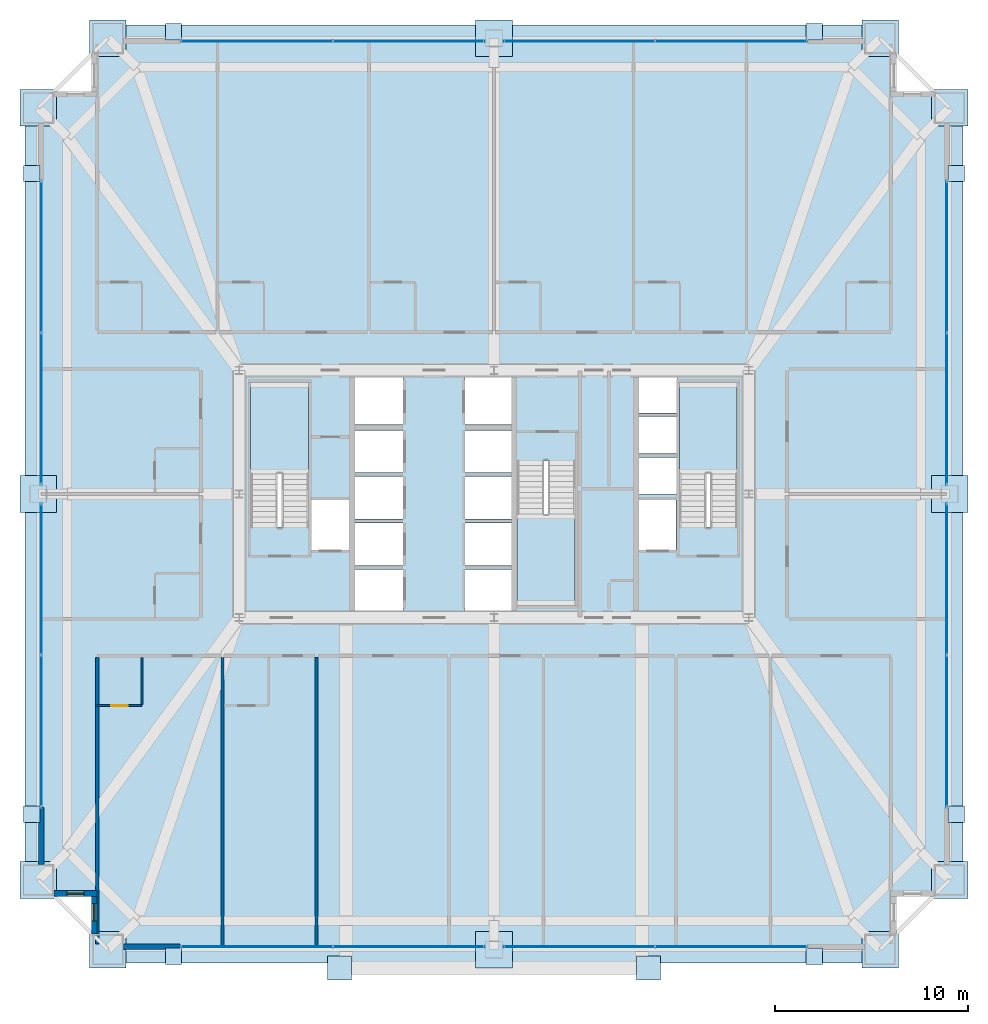
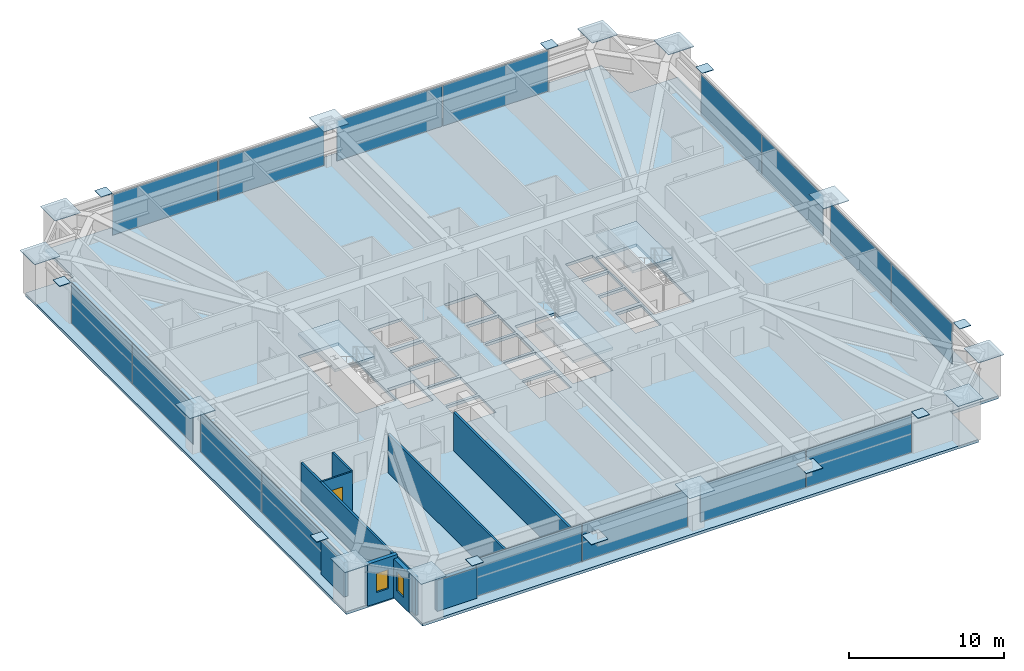
# One storey, part 40 of 45: 38 plates, 9 walls, 4 slabs, 2 windows, 1 door, 3 openings, 11 elements without a shape of their own.
"""IFC4 building model written with IfcOpenShell, lengths in metres."""

from ifc_helpers import new_model, si_unit, direction, frame, frame_2d, origin, origin_2d, place, context, subcontext, project, spatial, polyline, rectangle, outline, extrude, source, transform, mapped, material, layer, layer_set, type_object, element, fill, aggregate, save


model = new_model("IFC4")

# Units and contexts
model_context = context("Model", 3, precision=1e-05, world=origin(), true_north=direction((0.0, 1.0)))
body_context = subcontext(model_context, "Body", "Model", "MODEL_VIEW")
ifc_project = project(units=[si_unit("LENGTHUNIT", "METRE"), si_unit("AREAUNIT", "SQUARE_METRE"), si_unit("VOLUMEUNIT", "CUBIC_METRE"), si_unit("PLANEANGLEUNIT", "RADIAN"), si_unit("MASSUNIT", "GRAM", prefix="KILO"), si_unit("THERMODYNAMICTEMPERATUREUNIT", "KELVIN"), si_unit("POWERUNIT", "WATT")], contexts=[model_context])

# Site, building, storey
site_placement = place(None, origin())
site = spatial("IfcSite", under=ifc_project, at=site_placement, CompositionType="ELEMENT")
building_placement = place(site_placement, origin())
building = spatial("IfcBuilding", under=site, at=building_placement, Name="Yuzanri Waterfront Tower", CompositionType="ELEMENT")
storey_placement = place(building_placement, frame((0.0, 0.0, 163.199951171875)))
storey = spatial("IfcBuildingStorey", under=building, at=storey_placement, Name="L43", CompositionType="ELEMENT", Elevation=163.199951171875)

# Stair, slab
ifc_material_1 = material(Name="Concrete C40", Category="concrete")
stair_type = type_object("IfcStairType", Name="Concrete C40 Core Dogleg Exit Stair", PredefinedType="HALF_TURN_STAIR", material=ifc_material_1)
stair_1_placement = place(storey_placement, origin())
stair_1 = element("IfcStair", 1, at=stair_1_placement, inside=storey, type_object=stair_type, Name="L43 Smoke-Proof Core Stair ST-01", PredefinedType="HALF_TURN_STAIR")
ifc_material_2 = material(Name="Concrete C40", Category="concrete")
ifc_layer_1 = layer(ifc_material_2, 0.179931640625)
ifc_layer_set_1 = layer_set([ifc_layer_1], Name="Concrete C40")
slab_type_1 = type_object("IfcSlabType", Name="Concrete C40 Stair Half-Landing Slab 180", PredefinedType="LANDING", material=ifc_layer_set_1)
slab_1_placement = place(storey_placement, frame((0.0, 0.0, 1.60009765625)))
slab_1 = element("IfcSlab", 2, at=slab_1_placement, type_object=slab_type_1, Name="ST-01 landing 1", PredefinedType="LANDING", context=body_context, shape_type="SweptSolid", body=[
    extrude(outline(polyline([(27.39990234375, 26.840087890625), (27.39990234375, 31.580078125), (24.39990234375, 31.580078125), (24.39990234375, 26.840087890625), (27.39990234375, 26.840087890625)])), origin(), (0.0, 0.0, 1.0), 0.199951171875),
])
aggregate(stair_1, [slab_1])

stair_2_placement = place(storey_placement, origin())
stair_2 = element("IfcStair", 3, at=stair_2_placement, inside=storey, type_object=stair_type, Name="L43 Smoke-Proof Core Stair ST-02", PredefinedType="HALF_TURN_STAIR")
slab_2_placement = place(storey_placement, frame((0.0, 0.0, 1.60009765625)))
slab_2 = element("IfcSlab", 4, at=slab_2_placement, type_object=slab_type_1, Name="ST-02 landing 1", PredefinedType="LANDING", context=body_context, shape_type="SweptSolid", body=[
    extrude(outline(polyline([(49.60009765625, 26.840087890625), (49.60009765625, 31.580078125), (46.60009765625, 31.580078125), (46.60009765625, 26.840087890625), (49.60009765625, 26.840087890625)])), origin(), (0.0, 0.0, 1.0), 0.199951171875),
])
aggregate(stair_2, [slab_2])

stair_3_placement = place(storey_placement, origin())
stair_3 = element("IfcStair", 5, at=stair_3_placement, inside=storey, type_object=stair_type, Name="L43 Smoke-Proof Core Stair ST-03", PredefinedType="HALF_TURN_STAIR")
slab_3_placement = place(storey_placement, frame((0.0, 0.0, 1.60009765625)))
slab_3 = element("IfcSlab", 6, at=slab_3_placement, type_object=slab_type_1, Name="ST-03 landing 1", PredefinedType="LANDING", context=body_context, shape_type="SweptSolid", body=[
    extrude(outline(polyline([(38.199951171875, 24.760009765625), (38.199951171875, 20.02001953125), (41.199951171875, 20.02001953125), (41.199951171875, 24.760009765625), (38.199951171875, 24.760009765625)])), origin(), (0.0, 0.0, 1.0), 0.199951171875),
])
aggregate(stair_3, [slab_3])

# Slab
ifc_material_3 = material(Name="Concrete C40", Category="concrete")
ifc_layer_2 = layer(ifc_material_3, 0.219970703125)
ifc_layer_set_2 = layer_set([ifc_layer_2], Name="Concrete C40")
slab_type_2 = type_object("IfcSlabType", Name="Concrete C40 Tower Typical Structural Floor Slab 220", PredefinedType="FLOOR", material=ifc_layer_set_2)
slab_4_placement = place(storey_placement, frame((0.0, 0.0, -0.219970703125)))
element("IfcSlab", 7, at=slab_4_placement, inside=storey, type_object=slab_type_2, Name="L43 Main Structural Floor Slab", PredefinedType="FLOOR", context=body_context, shape_type="SweptSolid", body=[
    extrude(outline(polyline([(16.300048828125, 1.5), (57.699951171875, 1.5), (57.699951171875, 5.10009765625), (61.300048828125, 5.10009765625), (61.300048828125, 46.5), (57.699951171875, 46.5), (57.699951171875, 50.10009765625), (16.300048828125, 50.10009765625), (16.300048828125, 46.5), (12.699951171875, 46.5), (12.699951171875, 5.10009765625), (16.300048828125, 5.10009765625), (16.300048828125, 1.5)]), holes=[polyline([(27.39990234375, 24.10009765625), (27.39990234375, 31.580078125), (24.39990234375, 31.580078125), (24.39990234375, 24.10009765625), (27.39990234375, 24.10009765625)]), polyline([(49.60009765625, 24.10009765625), (49.60009765625, 31.580078125), (46.60009765625, 31.580078125), (46.60009765625, 24.10009765625), (49.60009765625, 24.10009765625)]), polyline([(38.199951171875, 27.5), (38.199951171875, 20.02001953125), (41.199951171875, 20.02001953125), (41.199951171875, 27.5), (38.199951171875, 27.5)]), polyline([(27.56005859375, 22.89990234375), (29.47998046875, 22.89990234375), (29.47998046875, 25.5), (27.56005859375, 25.5), (27.56005859375, 22.89990234375)]), polyline([(44.52001953125, 22.89990234375), (46.43994140625, 22.89990234375), (46.43994140625, 25.5), (44.52001953125, 25.5), (44.52001953125, 22.89990234375)]), polyline([(29.800048828125, 19.699951171875), (32.300048828125, 19.699951171875), (32.300048828125, 21.89990234375), (29.800048828125, 21.89990234375), (29.800048828125, 19.699951171875)]), polyline([(29.800048828125, 22.10009765625), (32.300048828125, 22.10009765625), (32.300048828125, 24.300048828125), (29.800048828125, 24.300048828125), (29.800048828125, 22.10009765625)]), polyline([(29.800048828125, 24.5), (32.300048828125, 24.5), (32.300048828125, 26.699951171875), (29.800048828125, 26.699951171875), (29.800048828125, 24.5)]), polyline([(29.800048828125, 26.89990234375), (32.300048828125, 26.89990234375), (32.300048828125, 29.10009765625), (29.800048828125, 29.10009765625), (29.800048828125, 26.89990234375)]), polyline([(29.800048828125, 29.39990234375), (32.300048828125, 29.39990234375), (32.300048828125, 31.89990234375), (29.800048828125, 31.89990234375), (29.800048828125, 29.39990234375)]), polyline([(35.5, 19.699951171875), (37.89990234375, 19.699951171875), (37.89990234375, 21.89990234375), (35.5, 21.89990234375), (35.5, 19.699951171875)]), polyline([(35.5, 22.10009765625), (37.89990234375, 22.10009765625), (37.89990234375, 24.300048828125), (35.5, 24.300048828125), (35.5, 22.10009765625)]), polyline([(35.5, 24.5), (37.89990234375, 24.5), (37.89990234375, 26.699951171875), (35.5, 26.699951171875), (35.5, 24.5)]), polyline([(35.5, 26.89990234375), (37.89990234375, 26.89990234375), (37.89990234375, 29.10009765625), (35.5, 29.10009765625), (35.5, 26.89990234375)]), polyline([(35.5, 29.39990234375), (37.89990234375, 29.39990234375), (37.89990234375, 31.89990234375), (35.5, 31.89990234375), (35.5, 29.39990234375)]), polyline([(44.5, 25.800048828125), (46.5, 25.800048828125), (46.5, 27.699951171875), (44.5, 27.699951171875), (44.5, 25.800048828125)]), polyline([(44.5, 27.89990234375), (46.5, 27.89990234375), (46.5, 29.800048828125), (44.5, 29.800048828125), (44.5, 27.89990234375)]), polyline([(44.5, 30.0), (46.5, 30.0), (46.5, 31.89990234375), (44.5, 31.89990234375), (44.5, 30.0)])]), origin(), (0.0, 0.0, 1.0), 0.219970703125),
])

# Plates
ifc_material_4 = material(Name="Steel Q420GJC", Category="steel")
ifc_layer_3 = layer(ifc_material_4, 0.044921875)
ifc_layer_set_3 = layer_set([ifc_layer_3], Name="Steel Q420GJC")
plate_type_1 = type_object("IfcPlateType", Name="Steel Q420GJC Setback Column-Transfer Diaphragm Cap Plate 45", PredefinedType="SHEET", material=ifc_layer_set_3)
shared_shape_1 = source(origin(), body_context, "Body", "SweptSolid", [
    extrude(rectangle(XDim=1.89990234375, YDim=1.89990234375, at=origin_2d()), origin(), (0.0, 0.0, 1.0), 0.044921875),
])
for number, where, z_axis, x_axis, name in (
    (8, (17.0, 2.199951171875, 3.277587890625), (0.0, 0.0, 1.0), (1.0, 0.0, 0.0), "L43 Column Top Closure Plate S1"),
    (9, (37.0, 2.199951171875, 3.027587890625), (0.0, 0.0, 1.0), (1.0, 0.0, 0.0), "L43 Column Top Closure Plate S2"),
    (10, (57.0, 2.199951171875, 3.277587890625), (0.0, 0.0, 1.0), (1.0, 0.0, 0.0), "L43 Column Top Closure Plate S3"),
    (11, (17.0, 49.39990234375, 3.277587890625), (0.0, 0.0, 1.0), (1.0, 0.0, 0.0), "L43 Column Top Closure Plate N1"),
    (12, (37.0, 49.39990234375, 3.277587890625), (0.0, 0.0, 1.0), (1.0, 0.0, 0.0), "L43 Column Top Closure Plate N2"),
    (13, (57.0, 49.39990234375, 3.277587890625), (0.0, 0.0, 1.0), (1.0, 0.0, 0.0), "L43 Column Top Closure Plate N3"),
    (14, (13.39990234375, 5.800048828125, 3.277587890625), (0.0, 0.0, 1.0), (1.0, 0.0, 0.0), "L43 Column Top Closure Plate W1"),
    (15, (13.39990234375, 25.800048828125, 3.277587890625), (0.0, 0.0, 1.0), (1.0, 0.0, 0.0), "L43 Column Top Closure Plate W2"),
    (16, (13.39990234375, 45.800048828125, 3.277587890625), (0.0, 0.0, 1.0), (1.0, 0.0, 0.0), "L43 Column Top Closure Plate W3"),
    (17, (60.60009765625, 5.800048828125, 3.277587890625), (0.0, 0.0, 1.0), (1.0, 0.0, 0.0), "L43 Column Top Closure Plate E1"),
    (18, (60.60009765625, 25.800048828125, 3.277587890625), (0.0, 0.0, 1.0), (1.0, 0.0, 0.0), "L43 Column Top Closure Plate E2"),
    (19, (60.60009765625, 45.800048828125, 3.277587890625), (0.0, 0.0, 1.0), (1.0, 0.0, 0.0), "L43 Column Top Closure Plate E3"),
):
    element("IfcPlate", number, at=place(storey_placement, frame(where, z_axis=z_axis, x_axis=x_axis)), inside=storey, type_object=plate_type_1, Name=name, PredefinedType="SHEET", context=body_context, shape_type="MappedRepresentation", body=[
        mapped(shared_shape_1, transform((0.0, 0.0, 0.0), scale=1.0)),
    ])
ifc_material_5 = material(Name="Steel Q420GJC", Category="steel")
ifc_layer_4 = layer(ifc_material_5, 0.035888671875)
ifc_layer_set_4 = layer_set([ifc_layer_4], Name="Steel Q420GJC")
plate_type_2 = type_object("IfcPlateType", Name="Steel Q420GJC Sky-Pool Cantilever Tip Closure Plate 36", PredefinedType="SHEET", material=ifc_layer_set_4)
shared_shape_2 = source(origin(), body_context, "Body", "SweptSolid", [
    extrude(rectangle(XDim=1.25, YDim=1.25, at=origin_2d()), origin(), (0.0, 0.0, 1.0), 0.035888671875),
])
for number, where, z_axis, x_axis, name in (
    (20, (29.0, 1.25, 2.48193359375), (0.0, 0.0, 1.0), (1.0, 0.0, 0.0), "L44 Sky-Pool Edge Ring West Cap Plate"),
    (21, (45.0, 1.25, 2.48193359375), (0.0, 0.0, 1.0), (1.0, 0.0, 0.0), "L44 Sky-Pool Edge Ring East Cap Plate"),
):
    element("IfcPlate", number, at=place(storey_placement, frame(where, z_axis=z_axis, x_axis=x_axis)), inside=storey, type_object=plate_type_2, Name=name, PredefinedType="SHEET", context=body_context, shape_type="MappedRepresentation", body=[
        mapped(shared_shape_2, transform((0.0, 0.0, 0.0), scale=1.0)),
    ])
ifc_material_6 = material(Name="Steel Q420GJC", Category="steel")
ifc_layer_5 = layer(ifc_material_6, 0.0400390625)
ifc_layer_set_5 = layer_set([ifc_layer_5], Name="Steel Q420GJC")
plate_type_3 = type_object("IfcPlateType", Name="Steel Q420GJC Mega-Brace Gusset and End-Cap Plate 40", PredefinedType="SHEET", material=ifc_layer_set_5)
shared_shape_3 = source(origin(), body_context, "Body", "SweptSolid", [
    extrude(rectangle(XDim=0.85009765625, YDim=0.85009765625, at=origin_2d()), origin(), (0.0, 0.0, 1.0), 0.0400390625),
])
for number, where, z_axis, x_axis, name in (
    (22, (20.39990234375, 1.860107421875, 3.260009765625), (0.0, 0.0, 1.0), (1.0, 0.0, 0.0), "L43 Mega-Brace Apex Cap Plate S-L"),
    (23, (53.60009765625, 1.860107421875, 3.260009765625), (0.0, 0.0, 1.0), (1.0, 0.0, 0.0), "L43 Mega-Brace Apex Cap Plate S-R"),
    (24, (20.39990234375, 49.739990234375, 3.260009765625), (0.0, 0.0, 1.0), (1.0, 0.0, 0.0), "L43 Mega-Brace Apex Cap Plate N-L"),
    (25, (53.60009765625, 49.739990234375, 3.260009765625), (0.0, 0.0, 1.0), (1.0, 0.0, 0.0), "L43 Mega-Brace Apex Cap Plate N-R"),
    (26, (13.06005859375, 9.199951171875, 3.260009765625), (0.0, 0.0, 1.0), (1.0, 0.0, 0.0), "L43 Mega-Brace Apex Cap Plate W-L"),
    (27, (13.06005859375, 42.39990234375, 3.260009765625), (0.0, 0.0, 1.0), (1.0, 0.0, 0.0), "L43 Mega-Brace Apex Cap Plate W-R"),
    (28, (60.93994140625, 9.199951171875, 3.260009765625), (0.0, 0.0, 1.0), (1.0, 0.0, 0.0), "L43 Mega-Brace Apex Cap Plate E-L"),
    (29, (60.93994140625, 42.39990234375, 3.260009765625), (0.0, 0.0, 1.0), (1.0, 0.0, 0.0), "L43 Mega-Brace Apex Cap Plate E-R"),
):
    element("IfcPlate", number, at=place(storey_placement, frame(where, z_axis=z_axis, x_axis=x_axis)), inside=storey, type_object=plate_type_3, Name=name, PredefinedType="SHEET", context=body_context, shape_type="MappedRepresentation", body=[
        mapped(shared_shape_3, transform((0.0, 0.0, 0.0), scale=1.0)),
    ])

# Curtain wall, plates
ifc_material_7 = material(Name="Anodized Architectural Bronze", Category="metal")
ifc_layer_6 = layer(ifc_material_7, 0.159912109375)
ifc_layer_set_6 = layer_set([ifc_layer_6], Name="Anodized Architectural Bronze")
curtain_wall_type = type_object("IfcCurtainWallType", Name="Anodized Bronze Hotel Upper-Tier Solar-Control Unitized Curtain Wall 7800", PredefinedType="NOTDEFINED", material=ifc_layer_set_6)
curtain_wall_1_placement = place(storey_placement, origin())
curtain_wall_1 = element("IfcCurtainWall", 30, at=curtain_wall_1_placement, inside=storey, type_object=curtain_wall_type, Name="L43 Curtain Wall CW-L43-SL", PredefinedType="NOTDEFINED")
ifc_material_8 = material(Name="Double-Silver Low-E Insulated Glass", Category="glass")
ifc_layer_7 = layer(ifc_material_8, 0.035888671875)
ifc_layer_set_7 = layer_set([ifc_layer_7], Name="Double-Silver Low-E Insulated Glass")
plate_type_4 = type_object("IfcPlateType", Name="Double Silver Low-E Insulated Vision Glass Panel 36", PredefinedType="CURTAIN_PANEL", material=ifc_layer_set_7)
shared_shape_4 = source(origin(), body_context, "Body", "SweptSolid", [
    extrude(rectangle(XDim=7.820068359375, YDim=0.035888671875, at=origin_2d()), origin(), (0.0, 0.0, 1.0), 2.949951171875),
])
plate_1_placement = place(storey_placement, frame((24.699951171875, 2.35009765625, 0.05029296875), z_axis=(0.0, 0.0, 1.0), x_axis=(1.0, 0.0, 0.0)))
plate_1 = element("IfcPlate", 31, at=plate_1_placement, type_object=plate_type_4, Name="CW-L43-SL Vision Glass Panel 01", PredefinedType="CURTAIN_PANEL", context=body_context, shape_type="MappedRepresentation", body=[
    mapped(shared_shape_4, transform((0.0, 0.0, 0.0), scale=1.0)),
])
plate_2_placement = place(storey_placement, frame((32.60009765625, 2.35009765625, 0.05029296875), z_axis=(0.0, 0.0, 1.0), x_axis=(1.0, 0.0, 0.0)))
plate_2 = element("IfcPlate", 32, at=plate_2_placement, type_object=plate_type_4, Name="CW-L43-SL Vision Glass Panel 02", PredefinedType="CURTAIN_PANEL", context=body_context, shape_type="MappedRepresentation", body=[
    mapped(shared_shape_4, transform((0.0, 0.0, 0.0), scale=1.0)),
])
aggregate(curtain_wall_1, [plate_1, plate_2])

curtain_wall_2_placement = place(storey_placement, origin())
curtain_wall_2 = element("IfcCurtainWall", 33, at=curtain_wall_2_placement, inside=storey, type_object=curtain_wall_type, Name="L43 Curtain Wall CW-L43-SR", PredefinedType="NOTDEFINED")
plate_3_placement = place(storey_placement, frame((41.39990234375, 2.35009765625, 0.05029296875), z_axis=(0.0, 0.0, 1.0), x_axis=(1.0, 0.0, 0.0)))
plate_3 = element("IfcPlate", 34, at=plate_3_placement, type_object=plate_type_4, Name="CW-L43-SR Vision Glass Panel 01", PredefinedType="CURTAIN_PANEL", context=body_context, shape_type="MappedRepresentation", body=[
    mapped(shared_shape_4, transform((0.0, 0.0, 0.0), scale=1.0)),
])
plate_4_placement = place(storey_placement, frame((49.300048828125, 2.35009765625, 0.05029296875), z_axis=(0.0, 0.0, 1.0), x_axis=(1.0, 0.0, 0.0)))
plate_4 = element("IfcPlate", 35, at=plate_4_placement, type_object=plate_type_4, Name="CW-L43-SR Vision Glass Panel 02", PredefinedType="CURTAIN_PANEL", context=body_context, shape_type="MappedRepresentation", body=[
    mapped(shared_shape_4, transform((0.0, 0.0, 0.0), scale=1.0)),
])
aggregate(curtain_wall_2, [plate_3, plate_4])

curtain_wall_3_placement = place(storey_placement, origin())
curtain_wall_3 = element("IfcCurtainWall", 36, at=curtain_wall_3_placement, inside=storey, type_object=curtain_wall_type, Name="L43 Curtain Wall CW-L43-NL", PredefinedType="NOTDEFINED")
shared_shape_5 = source(origin(), body_context, "Body", "SweptSolid", [
    extrude(rectangle(XDim=7.820068359375, YDim=0.035888671875, at=origin_2d()), origin(), (0.0, 0.0, 1.0), 3.199951171875),
])
plate_5_placement = place(storey_placement, frame((24.699951171875, 49.25, 0.05029296875), z_axis=(0.0, 0.0, 1.0), x_axis=(1.0, 0.0, 0.0)))
plate_5 = element("IfcPlate", 37, at=plate_5_placement, type_object=plate_type_4, Name="CW-L43-NL Vision Glass Panel 01", PredefinedType="CURTAIN_PANEL", context=body_context, shape_type="MappedRepresentation", body=[
    mapped(shared_shape_5, transform((0.0, 0.0, 0.0), scale=1.0)),
])
plate_6_placement = place(storey_placement, frame((32.60009765625, 49.25, 0.05029296875), z_axis=(0.0, 0.0, 1.0), x_axis=(1.0, 0.0, 0.0)))
plate_6 = element("IfcPlate", 38, at=plate_6_placement, type_object=plate_type_4, Name="CW-L43-NL Vision Glass Panel 02", PredefinedType="CURTAIN_PANEL", context=body_context, shape_type="MappedRepresentation", body=[
    mapped(shared_shape_5, transform((0.0, 0.0, 0.0), scale=1.0)),
])
aggregate(curtain_wall_3, [plate_5, plate_6])

curtain_wall_4_placement = place(storey_placement, origin())
curtain_wall_4 = element("IfcCurtainWall", 39, at=curtain_wall_4_placement, inside=storey, type_object=curtain_wall_type, Name="L43 Curtain Wall CW-L43-NR", PredefinedType="NOTDEFINED")
plate_7_placement = place(storey_placement, frame((41.39990234375, 49.25, 0.05029296875), z_axis=(0.0, 0.0, 1.0), x_axis=(1.0, 0.0, 0.0)))
plate_7 = element("IfcPlate", 40, at=plate_7_placement, type_object=plate_type_4, Name="CW-L43-NR Vision Glass Panel 01", PredefinedType="CURTAIN_PANEL", context=body_context, shape_type="MappedRepresentation", body=[
    mapped(shared_shape_5, transform((0.0, 0.0, 0.0), scale=1.0)),
])
plate_8_placement = place(storey_placement, frame((49.300048828125, 49.25, 0.05029296875), z_axis=(0.0, 0.0, 1.0), x_axis=(1.0, 0.0, 0.0)))
plate_8 = element("IfcPlate", 41, at=plate_8_placement, type_object=plate_type_4, Name="CW-L43-NR Vision Glass Panel 02", PredefinedType="CURTAIN_PANEL", context=body_context, shape_type="MappedRepresentation", body=[
    mapped(shared_shape_5, transform((0.0, 0.0, 0.0), scale=1.0)),
])
aggregate(curtain_wall_4, [plate_7, plate_8])

curtain_wall_5_placement = place(storey_placement, origin())
curtain_wall_5 = element("IfcCurtainWall", 42, at=curtain_wall_5_placement, inside=storey, type_object=curtain_wall_type, Name="L43 Curtain Wall CW-L43-WL", PredefinedType="NOTDEFINED")
plate_9_placement = place(storey_placement, frame((13.550048828125, 13.5, 0.05029296875), z_axis=(0.0, 0.0, 1.0), x_axis=(0.0, 1.0, 0.0)))
plate_9 = element("IfcPlate", 43, at=plate_9_placement, type_object=plate_type_4, Name="CW-L43-WL Vision Glass Panel 01", PredefinedType="CURTAIN_PANEL", context=body_context, shape_type="MappedRepresentation", body=[
    mapped(shared_shape_5, transform((0.0, 0.0, 0.0), scale=1.0)),
])
plate_10_placement = place(storey_placement, frame((13.550048828125, 21.39990234375, 0.05029296875), z_axis=(0.0, 0.0, 1.0), x_axis=(0.0, 1.0, 0.0)))
plate_10 = element("IfcPlate", 44, at=plate_10_placement, type_object=plate_type_4, Name="CW-L43-WL Vision Glass Panel 02", PredefinedType="CURTAIN_PANEL", context=body_context, shape_type="MappedRepresentation", body=[
    mapped(shared_shape_5, transform((0.0, 0.0, 0.0), scale=1.0)),
])
aggregate(curtain_wall_5, [plate_9, plate_10])

curtain_wall_6_placement = place(storey_placement, origin())
curtain_wall_6 = element("IfcCurtainWall", 45, at=curtain_wall_6_placement, inside=storey, type_object=curtain_wall_type, Name="L43 Curtain Wall CW-L43-WR", PredefinedType="NOTDEFINED")
plate_11_placement = place(storey_placement, frame((13.550048828125, 30.199951171875, 0.05029296875), z_axis=(0.0, 0.0, 1.0), x_axis=(0.0, 1.0, 0.0)))
plate_11 = element("IfcPlate", 46, at=plate_11_placement, type_object=plate_type_4, Name="CW-L43-WR Vision Glass Panel 01", PredefinedType="CURTAIN_PANEL", context=body_context, shape_type="MappedRepresentation", body=[
    mapped(shared_shape_5, transform((0.0, 0.0, 0.0), scale=1.0)),
])
plate_12_placement = place(storey_placement, frame((13.550048828125, 38.10009765625, 0.05029296875), z_axis=(0.0, 0.0, 1.0), x_axis=(0.0, 1.0, 0.0)))
plate_12 = element("IfcPlate", 47, at=plate_12_placement, type_object=plate_type_4, Name="CW-L43-WR Vision Glass Panel 02", PredefinedType="CURTAIN_PANEL", context=body_context, shape_type="MappedRepresentation", body=[
    mapped(shared_shape_5, transform((0.0, 0.0, 0.0), scale=1.0)),
])
aggregate(curtain_wall_6, [plate_11, plate_12])

curtain_wall_7_placement = place(storey_placement, origin())
curtain_wall_7 = element("IfcCurtainWall", 48, at=curtain_wall_7_placement, inside=storey, type_object=curtain_wall_type, Name="L43 Curtain Wall CW-L43-EL", PredefinedType="NOTDEFINED")
plate_13_placement = place(storey_placement, frame((60.449951171875, 13.5, 0.05029296875), z_axis=(0.0, 0.0, 1.0), x_axis=(0.0, 1.0, 0.0)))
plate_13 = element("IfcPlate", 49, at=plate_13_placement, type_object=plate_type_4, Name="CW-L43-EL Vision Glass Panel 01", PredefinedType="CURTAIN_PANEL", context=body_context, shape_type="MappedRepresentation", body=[
    mapped(shared_shape_5, transform((0.0, 0.0, 0.0), scale=1.0)),
])
plate_14_placement = place(storey_placement, frame((60.449951171875, 21.39990234375, 0.05029296875), z_axis=(0.0, 0.0, 1.0), x_axis=(0.0, 1.0, 0.0)))
plate_14 = element("IfcPlate", 50, at=plate_14_placement, type_object=plate_type_4, Name="CW-L43-EL Vision Glass Panel 02", PredefinedType="CURTAIN_PANEL", context=body_context, shape_type="MappedRepresentation", body=[
    mapped(shared_shape_5, transform((0.0, 0.0, 0.0), scale=1.0)),
])
aggregate(curtain_wall_7, [plate_13, plate_14])

curtain_wall_8_placement = place(storey_placement, origin())
curtain_wall_8 = element("IfcCurtainWall", 51, at=curtain_wall_8_placement, inside=storey, type_object=curtain_wall_type, Name="L43 Curtain Wall CW-L43-ER", PredefinedType="NOTDEFINED")
plate_15_placement = place(storey_placement, frame((60.449951171875, 30.199951171875, 0.05029296875), z_axis=(0.0, 0.0, 1.0), x_axis=(0.0, 1.0, 0.0)))
plate_15 = element("IfcPlate", 52, at=plate_15_placement, type_object=plate_type_4, Name="CW-L43-ER Vision Glass Panel 01", PredefinedType="CURTAIN_PANEL", context=body_context, shape_type="MappedRepresentation", body=[
    mapped(shared_shape_5, transform((0.0, 0.0, 0.0), scale=1.0)),
])
plate_16_placement = place(storey_placement, frame((60.449951171875, 38.10009765625, 0.05029296875), z_axis=(0.0, 0.0, 1.0), x_axis=(0.0, 1.0, 0.0)))
plate_16 = element("IfcPlate", 53, at=plate_16_placement, type_object=plate_type_4, Name="CW-L43-ER Vision Glass Panel 02", PredefinedType="CURTAIN_PANEL", context=body_context, shape_type="MappedRepresentation", body=[
    mapped(shared_shape_5, transform((0.0, 0.0, 0.0), scale=1.0)),
])
aggregate(curtain_wall_8, [plate_15, plate_16])

# Wall, opening, door
ifc_material_9 = material(Name="Moisture-Resistant Gypsum Stud Wall", Category="gypsum")
ifc_layer_8 = layer(ifc_material_9, 0.1201171875)
ifc_layer_set_8 = layer_set([ifc_layer_8], Name="Moisture-Resistant Gypsum Stud Wall")
wall_type_1 = type_object("IfcWallType", Name="Bathroom and Kitchen Wet Partition 120", PredefinedType="PARTITIONING", material=ifc_layer_set_8)
wall_1_placement = place(storey_placement, frame((16.43994140625, 14.840087890625, 0.0), z_axis=(0.0, 0.0, 1.0), x_axis=(1.0, 0.0, 0.0)))
wall_1 = element("IfcWall", 54, at=wall_1_placement, inside=storey, type_object=wall_type_1, Name="L43 Partition UW-L43-S1-BS", PredefinedType="PARTITIONING", context=body_context, shape_type="SweptSolid", body=[
    extrude(rectangle(XDim=2.330078125, YDim=0.1201171875, at=frame_2d((1.1650390625, 0.0))), origin(), (0.0, 0.0, 1.0), 3.050048828125),
])
opening_1_placement = place(wall_1_placement, frame((0.739990234375, 0.0, 0.0)))
opening_1 = element("IfcOpeningElement", 55, at=opening_1_placement, cuts=wall_1, Name="Opening ID-0850", PredefinedType="OPENING", context=body_context, shape_type="SweptSolid", body=[
    extrude(rectangle(XDim=0.85009765625, YDim=2.10009765625, at=frame_2d((0.425048828125, 1.050048828125))), frame((0.0, 0.074951171875, 0.0), z_axis=(0.0, -1.0, 0.0), x_axis=(1.0, 0.0, 0.0)), (0.0, 0.0, 1.0), 0.14990234375),
])
ifc_material_10 = material(Name="Moisture-Resistant Lacquered Timber", Category="wood")
door_type = type_object("IfcDoorType", Name="En-Suite Bathroom and Kitchen Swing Door 850x2100", OperationType="NOTDEFINED", PredefinedType="DOOR", material=ifc_material_10)
shared_shape_6 = source(origin(), body_context, "Body", "SweptSolid", [
    extrude(rectangle(XDim=0.85009765625, YDim=2.10009765625, at=frame_2d((0.425048828125, 1.050048828125))), frame((0.0, 0.02490234375, 0.0), z_axis=(0.0, -1.0, 0.0), x_axis=(1.0, 0.0, 0.0)), (0.0, 0.0, 1.0), 0.050048828125),
])
door_placement = place(opening_1_placement, origin())
door = element("IfcDoor", 56, at=door_placement, inside=storey, type_object=door_type, Name="L43 Guest En-Suite Door", OperationType="SINGLE_SWING_RIGHT", OverallHeight=2.10009765625, OverallWidth=0.85009765625, PredefinedType="DOOR", context=body_context, shape_type="MappedRepresentation", body=[
    mapped(shared_shape_6, transform((0.0, 0.0, 0.0), scale=1.0)),
])
fill(opening_1, door)

# Wall, opening, window
ifc_material_11 = material(Name="Honed Chongqing Dark Basalt Stone", Category="masonry")
ifc_layer_9 = layer(ifc_material_11, 0.300048828125)
ifc_layer_set_9 = layer_set([ifc_layer_9], Name="Honed Chongqing Dark Basalt Stone")
wall_type_2 = type_object("IfcWallType", Name="Bronze Rainscreen Insulated Spandrel Portal Wall 300", PredefinedType="SOLIDWALL", material=ifc_layer_set_9)
wall_2_placement = place(storey_placement, frame((14.199951171875, 5.10009765625, 0.0), z_axis=(0.0, 0.0, 1.0), x_axis=(1.0, 0.0, 0.0)))
wall_2 = element("IfcWall", 57, at=wall_2_placement, inside=storey, type_object=wall_type_2, Name="L43 Notched Corner Masonry Wall SW-X", PredefinedType="SOLIDWALL", context=body_context, shape_type="SweptSolid", body=[
    extrude(rectangle(XDim=2.25, YDim=0.300048828125, at=frame_2d((1.125, 0.0))), origin(), (0.0, 0.0, 1.0), 3.300048828125),
])
opening_2_placement = place(wall_2_placement, frame((0.675048828125, 0.0, 0.85009765625)))
opening_2 = element("IfcOpeningElement", 58, at=opening_2_placement, cuts=wall_2, Name="Opening WN-05", PredefinedType="OPENING", context=body_context, shape_type="SweptSolid", body=[
    extrude(rectangle(XDim=0.89990234375, YDim=1.5, at=frame_2d((0.449951171875, 0.75))), frame((0.0, 0.1650390625, 0.0), z_axis=(0.0, -1.0, 0.0), x_axis=(1.0, 0.0, 0.0)), (0.0, 0.0, 1.0), 0.329833984375),
])
ifc_material_12 = material(Name="Double-Silver Low-E Insulated Glass", Category="glass")
window_type = type_object("IfcWindowType", Name="Anodized Bronze Service and Stairwell Smoke-Vent Window 900x1500", PartitioningType="SINGLE_PANEL", PredefinedType="WINDOW", material=ifc_material_12)
shared_shape_7 = source(origin(), body_context, "Body", "SweptSolid", [
    extrude(rectangle(XDim=0.89990234375, YDim=1.5, at=frame_2d((0.449951171875, 0.75))), frame((0.0, 0.030029296875, 0.0), z_axis=(0.0, -1.0, 0.0), x_axis=(1.0, 0.0, 0.0)), (0.0, 0.0, 1.0), 0.06005859375),
])
window_1_placement = place(opening_2_placement, origin())
window_1 = element("IfcWindow", 59, at=window_1_placement, inside=storey, type_object=window_type, Name="L43 Notched Corner Window SW-X", OverallHeight=1.5, OverallWidth=0.89990234375, PartitioningType="SINGLE_PANEL", PredefinedType="WINDOW", context=body_context, shape_type="MappedRepresentation", body=[
    mapped(shared_shape_7, transform((0.0, 0.0, 0.0), scale=1.0)),
])
fill(opening_2, window_1)

wall_3_placement = place(storey_placement, frame((16.300048828125, 5.25, 0.0), z_axis=(0.0, 0.0, 1.0), x_axis=(0.0, -1.0, 0.0)))
wall_3 = element("IfcWall", 60, at=wall_3_placement, inside=storey, type_object=wall_type_2, Name="L43 Notched Corner Masonry Wall SW-Y", PredefinedType="SOLIDWALL", context=body_context, shape_type="SweptSolid", body=[
    extrude(rectangle(XDim=2.25, YDim=0.300048828125, at=frame_2d((1.125, 0.0))), origin(), (0.0, 0.0, 1.0), 3.050048828125),
])
opening_3_placement = place(wall_3_placement, frame((0.675048828125, 0.0, 0.75)))
opening_3 = element("IfcOpeningElement", 61, at=opening_3_placement, cuts=wall_3, Name="Opening WN-05", PredefinedType="OPENING", context=body_context, shape_type="SweptSolid", body=[
    extrude(rectangle(XDim=0.89990234375, YDim=1.5, at=frame_2d((0.449951171875, 0.75))), frame((0.0, 0.1650390625, 0.0), z_axis=(0.0, -1.0, 0.0), x_axis=(1.0, 0.0, 0.0)), (0.0, 0.0, 1.0), 0.329833984375),
])
window_2_placement = place(opening_3_placement, origin())
window_2 = element("IfcWindow", 62, at=window_2_placement, inside=storey, type_object=window_type, Name="L43 Notched Corner Window SW-Y", OverallHeight=1.5, OverallWidth=0.89990234375, PartitioningType="SINGLE_PANEL", PredefinedType="WINDOW", context=body_context, shape_type="MappedRepresentation", body=[
    mapped(shared_shape_7, transform((0.0, 0.0, 0.0), scale=1.0)),
])
fill(opening_3, window_2)

# Walls
shared_shape_8 = source(origin(), body_context, "Body", "SweptSolid", [
    extrude(rectangle(XDim=2.949951171875, YDim=0.300048828125, at=frame_2d((1.47509765625, 0.0))), origin(), (0.0, 0.0, 1.0), 2.445068359375),
])
wall_4_placement = place(storey_placement, frame((17.800048828125, 2.35009765625, 0.0), z_axis=(0.0, 0.0, 1.0), x_axis=(1.0, 0.0, 0.0)))
element("IfcWall", 63, at=wall_4_placement, inside=storey, type_object=wall_type_2, Name="L43 S Left Braced Masonry Shoulder", PredefinedType="SOLIDWALL", context=body_context, shape_type="MappedRepresentation", body=[
    mapped(shared_shape_8, transform((0.0, 0.0, 0.0), scale=1.0)),
])
shared_shape_9 = source(origin(), body_context, "Body", "SweptSolid", [
    extrude(rectangle(XDim=2.949951171875, YDim=0.300048828125, at=frame_2d((1.47509765625, 0.0))), origin(), (0.0, 0.0, 1.0), 2.695068359375),
])
wall_5_placement = place(storey_placement, frame((13.550048828125, 6.60009765625, 0.0), z_axis=(0.0, 0.0, 1.0), x_axis=(0.0, 1.0, 0.0)))
element("IfcWall", 64, at=wall_5_placement, inside=storey, type_object=wall_type_2, Name="L43 W Left Braced Masonry Shoulder", PredefinedType="SOLIDWALL", context=body_context, shape_type="MappedRepresentation", body=[
    mapped(shared_shape_9, transform((0.0, 0.0, 0.0), scale=1.0)),
])
ifc_material_13 = material(Name="Gypsum Fireboard Acoustic Stud Wall", Category="gypsum")
ifc_layer_10 = layer(ifc_material_13, 0.159912109375)
ifc_layer_set_10 = layer_set([ifc_layer_10], Name="Gypsum Fireboard Acoustic Stud Wall")
wall_type_3 = type_object("IfcWallType", Name="Acoustic Suite Demising Partition 160", PredefinedType="PARTITIONING", material=ifc_layer_set_10)
shared_shape_10 = source(origin(), body_context, "Body", "SweptSolid", [
    extrude(rectangle(XDim=14.969970703125, YDim=0.159912109375, at=frame_2d((7.48486328125, 0.0))), origin(), (0.0, 0.0, 1.0), 3.050048828125),
])
for number, where, z_axis, x_axis, name in (
    (65, (22.930908203125, 2.35009765625, 0.0), (0.0, 0.0, 1.0), (0.0, 1.0, 0.0), "L43-S1 Party Wall"),
    (66, (27.818115234375, 2.35009765625, 0.0), (0.0, 0.0, 1.0), (0.0, 1.0, 0.0), "L43-S2 Party Wall"),
):
    element("IfcWall", number, at=place(storey_placement, frame(where, z_axis=z_axis, x_axis=x_axis)), inside=storey, type_object=wall_type_3, Name=name, PredefinedType="PARTITIONING", context=body_context, shape_type="MappedRepresentation", body=[
        mapped(shared_shape_10, transform((0.0, 0.0, 0.0), scale=1.0)),
    ])
shared_shape_11 = source(origin(), body_context, "Body", "SweptSolid", [
    extrude(rectangle(XDim=2.420166015625, YDim=0.1201171875, at=frame_2d((1.2099609375, 0.0))), origin(), (0.0, 0.0, 1.0), 3.050048828125),
])
wall_6_placement = place(storey_placement, frame((18.77001953125, 14.89990234375, 0.0), z_axis=(0.0, 0.0, 1.0), x_axis=(0.0, 1.0, 0.0)))
element("IfcWall", 67, at=wall_6_placement, inside=storey, type_object=wall_type_1, Name="L43-S1 En-Suite Side Wall", PredefinedType="PARTITIONING", context=body_context, shape_type="MappedRepresentation", body=[
    mapped(shared_shape_11, transform((0.0, 0.0, 0.0), scale=1.0)),
])
shared_shape_12 = source(origin(), body_context, "Body", "SweptSolid", [
    extrude(rectangle(XDim=14.820068359375, YDim=0.159912109375, at=frame_2d((7.41015625, 0.0))), origin(), (0.0, 0.0, 1.0), 3.050048828125),
])
wall_7_placement = place(storey_placement, frame((16.449951171875, 2.5, 0.0), z_axis=(0.0, 0.0, 1.0), x_axis=(0.0, 1.0, 0.0)))
element("IfcWall", 68, at=wall_7_placement, inside=storey, type_object=wall_type_3, Name="L43 South Band West End Wall", PredefinedType="PARTITIONING", context=body_context, shape_type="MappedRepresentation", body=[
    mapped(shared_shape_12, transform((0.0, 0.0, 0.0), scale=1.0)),
])

save(model, "model.ifc")
